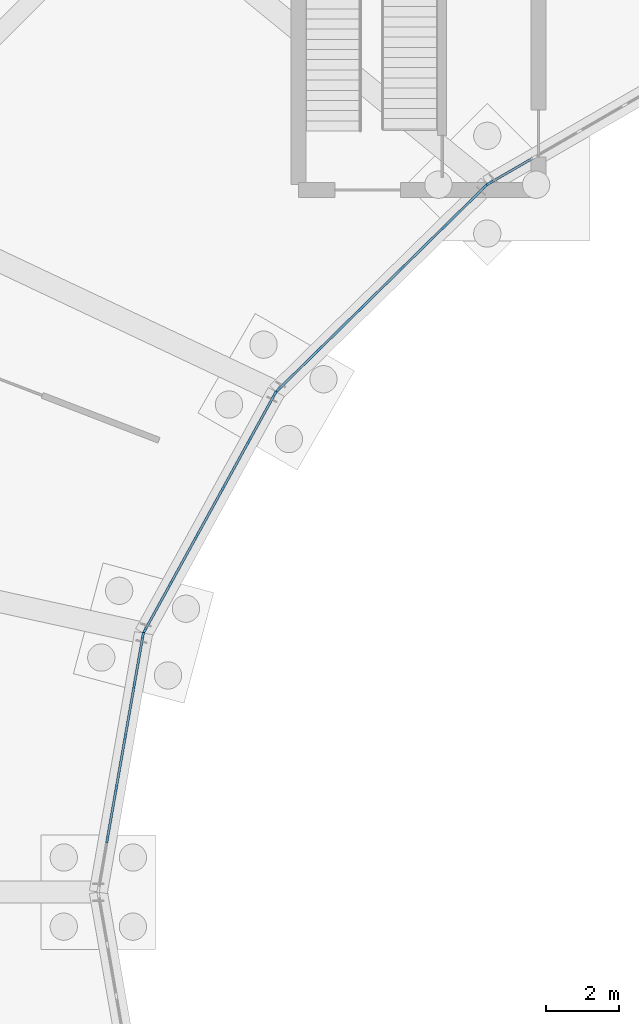
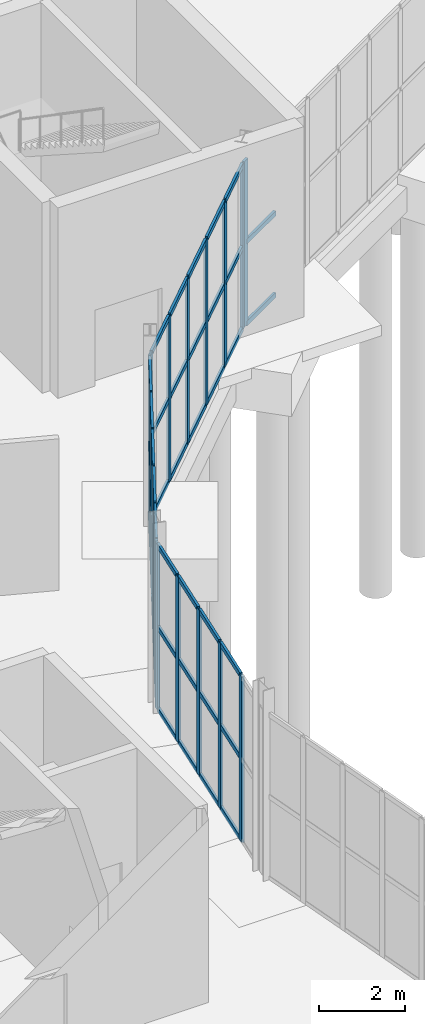
# One storey, part 60 of 118: 62 members, 4 elements without a shape of their own.
"""IFC4 building model written with IfcOpenShell, lengths in metres."""

from ifc_helpers import new_model, si_unit, direction, frame, origin, origin_2d, place, context, subcontext, project, spatial, rectangle, extrude, material, material_profile, profile_set, type_object, element, aggregate, save


model = new_model("IFC4")

# Units and contexts
model_context = context("Model", 3, precision=1e-05, world=origin(), true_north=direction((0.0, 1.0)))
body_context = subcontext(model_context, "Body", "Model", "MODEL_VIEW")
ifc_project = project(units=[si_unit("LENGTHUNIT", "METRE"), si_unit("AREAUNIT", "SQUARE_METRE"), si_unit("VOLUMEUNIT", "CUBIC_METRE"), si_unit("PLANEANGLEUNIT", "RADIAN"), si_unit("MASSUNIT", "GRAM", prefix="KILO")], contexts=[model_context])

# Site, building, storey
site_placement = place(None, origin())
site = spatial("IfcSite", under=ifc_project, at=site_placement, CompositionType="ELEMENT")
building_placement = place(site_placement, origin())
building = spatial("IfcBuilding", under=site, at=building_placement, Name="Kildeholm Park Wholesale Market", CompositionType="ELEMENT")
storey_placement = place(building_placement, origin())
storey = spatial("IfcBuildingStorey", under=building, at=storey_placement, Name="L00", CompositionType="ELEMENT", Elevation=0.0)

# Curtain wall, member
ifc_material_1 = material(Name="Anodised aluminium and low-E double-glazed glass", Category="aluminium")
curtain_wall_type = type_object("IfcCurtainWallType", Name="Market hall glazed arcade stick curtain wall CW-01", PredefinedType="NOTDEFINED", material=ifc_material_1)
curtain_wall_1_placement = place(storey_placement, origin())
curtain_wall_1 = element("IfcCurtainWall", 1, at=curtain_wall_1_placement, inside=storey, type_object=curtain_wall_type, Name="Curtain wall CW-V1-IN0-08 CW-0041", PredefinedType="NOTDEFINED")
ifc_material_2 = material(Name="Anodised aluminium", Category="aluminium")
ifc_material_profile_1 = material_profile(ifc_material_2, rectangle(XDim=0.06494140625, YDim=0.179931640625, at=origin_2d()), Name="CWM 65x180")
ifc_profile_set_1 = profile_set([ifc_material_profile_1], Name="Anodised aluminium")
member_type_1 = type_object("IfcMemberType", Name="Curtain-wall mullion CWM-1 CWM 65x180", PredefinedType="MULLION", material=ifc_profile_set_1)
member_1_placement = place(storey_placement, frame((73.250244140625, 108.9853515625, 0.0), z_axis=(0.0, 0.0, 1.0), x_axis=(0.500489412982, -0.865742656621, 0.0)))
member_1 = element("IfcMember", 2, at=member_1_placement, type_object=member_type_1, Name="CW-01 mullion 7 MEM-1548", PredefinedType="MULLION", context=body_context, shape_type="SweptSolid", body=[
    extrude(rectangle(XDim=0.06494140625, YDim=0.179931640625, at=origin_2d()), origin(), (0.0, 0.0, 1.0), 4.699951171875),
])

# Curtain wall, members
curtain_wall_2_placement = place(storey_placement, origin())
curtain_wall_2 = element("IfcCurtainWall", 3, at=curtain_wall_2_placement, inside=storey, type_object=curtain_wall_type, Name="Curtain wall CW-V1-IN0-09 CW-0046", PredefinedType="NOTDEFINED")
member_2_placement = place(storey_placement, frame((73.1337890625, 108.897216796875, 0.0), z_axis=(0.0, 0.0, 1.0), x_axis=(0.700616534607, -0.713537995789, 0.0)))
member_2 = element("IfcMember", 4, at=member_2_placement, type_object=member_type_1, Name="CW-01 mullion 1 MEM-1683", PredefinedType="MULLION", context=body_context, shape_type="SweptSolid", body=[
    extrude(rectangle(XDim=0.06494140625, YDim=0.179931640625, at=origin_2d()), origin(), (0.0, 0.0, 1.0), 4.699951171875),
])
member_3_placement = place(storey_placement, frame((72.00830078125, 107.792236328125, 0.0), z_axis=(0.0, 0.0, 1.0), x_axis=(0.700616534607, -0.713537995789, 0.0)))
member_3 = element("IfcMember", 5, at=member_3_placement, type_object=member_type_1, Name="CW-01 mullion 2 MEM-1684", PredefinedType="MULLION", context=body_context, shape_type="SweptSolid", body=[
    extrude(rectangle(XDim=0.06494140625, YDim=0.179931640625, at=origin_2d()), origin(), (0.0, 0.0, 1.0), 4.699951171875),
])
member_4_placement = place(storey_placement, frame((70.85986328125, 106.664306640625, 0.0), z_axis=(0.0, 0.0, 1.0), x_axis=(0.700616534607, -0.713537995789, 0.0)))
member_4 = element("IfcMember", 6, at=member_4_placement, type_object=member_type_1, Name="CW-01 mullion 3 MEM-1685", PredefinedType="MULLION", context=body_context, shape_type="SweptSolid", body=[
    extrude(rectangle(XDim=0.06494140625, YDim=0.179931640625, at=origin_2d()), origin(), (0.0, 0.0, 1.0), 4.699951171875),
])
member_5_placement = place(storey_placement, frame((69.711181640625, 105.53662109375, 0.0), z_axis=(0.0, 0.0, 1.0), x_axis=(0.700616534607, -0.713537995789, 0.0)))
member_5 = element("IfcMember", 7, at=member_5_placement, type_object=member_type_1, Name="CW-01 mullion 4 MEM-1686", PredefinedType="MULLION", context=body_context, shape_type="SweptSolid", body=[
    extrude(rectangle(XDim=0.06494140625, YDim=0.179931640625, at=origin_2d()), origin(), (0.0, 0.0, 1.0), 4.699951171875),
])
member_6_placement = place(storey_placement, frame((68.5625, 104.40869140625, 0.0), z_axis=(0.0, 0.0, 1.0), x_axis=(0.700616534607, -0.713537995789, 0.0)))
member_6 = element("IfcMember", 8, at=member_6_placement, type_object=member_type_1, Name="CW-01 mullion 5 MEM-1687", PredefinedType="MULLION", context=body_context, shape_type="SweptSolid", body=[
    extrude(rectangle(XDim=0.06494140625, YDim=0.179931640625, at=origin_2d()), origin(), (0.0, 0.0, 1.0), 4.699951171875),
])
member_7_placement = place(storey_placement, frame((67.437255859375, 103.3037109375, 0.0), z_axis=(0.0, 0.0, 1.0), x_axis=(0.700616534607, -0.713537995789, 0.0)))
member_7 = element("IfcMember", 9, at=member_7_placement, type_object=member_type_1, Name="CW-01 mullion 6 MEM-1688", PredefinedType="MULLION", context=body_context, shape_type="SweptSolid", body=[
    extrude(rectangle(XDim=0.06494140625, YDim=0.179931640625, at=origin_2d()), origin(), (0.0, 0.0, 1.0), 4.699951171875),
])

curtain_wall_3_placement = place(storey_placement, origin())
curtain_wall_3 = element("IfcCurtainWall", 10, at=curtain_wall_3_placement, inside=storey, type_object=curtain_wall_type, Name="Curtain wall CW-V1-IN0-10 CW-0051", PredefinedType="NOTDEFINED")
member_8_placement = place(storey_placement, frame((67.349365234375, 103.1884765625, 0.0), z_axis=(0.0, 0.0, 1.0), x_axis=(0.876308922506, -0.481749595055, 0.0)))
member_8 = element("IfcMember", 11, at=member_8_placement, type_object=member_type_1, Name="CW-01 mullion 1 MEM-1808", PredefinedType="MULLION", context=body_context, shape_type="SweptSolid", body=[
    extrude(rectangle(XDim=0.06494140625, YDim=0.179931640625, at=origin_2d()), origin(), (0.0, 0.0, 1.0), 4.699951171875),
])
member_9_placement = place(storey_placement, frame((66.643310546875, 101.904296875, 0.0), z_axis=(0.0, 0.0, 1.0), x_axis=(0.876308922506, -0.481749595055, 0.0)))
member_9 = element("IfcMember", 12, at=member_9_placement, type_object=member_type_1, Name="CW-01 mullion 2 MEM-1809", PredefinedType="MULLION", context=body_context, shape_type="SweptSolid", body=[
    extrude(rectangle(XDim=0.06494140625, YDim=0.179931640625, at=origin_2d()), origin(), (0.0, 0.0, 1.0), 4.699951171875),
])
member_10_placement = place(storey_placement, frame((65.921875, 100.591796875, 0.0), z_axis=(0.0, 0.0, 1.0), x_axis=(0.876308922506, -0.481749595055, 0.0)))
member_10 = element("IfcMember", 13, at=member_10_placement, type_object=member_type_1, Name="CW-01 mullion 3 MEM-1810", PredefinedType="MULLION", context=body_context, shape_type="SweptSolid", body=[
    extrude(rectangle(XDim=0.06494140625, YDim=0.179931640625, at=origin_2d()), origin(), (0.0, 0.0, 1.0), 4.699951171875),
])
member_11_placement = place(storey_placement, frame((65.2001953125, 99.279296875, 0.0), z_axis=(0.0, 0.0, 1.0), x_axis=(0.876308922506, -0.481749595055, 0.0)))
member_11 = element("IfcMember", 14, at=member_11_placement, type_object=member_type_1, Name="CW-01 mullion 4 MEM-1811", PredefinedType="MULLION", context=body_context, shape_type="SweptSolid", body=[
    extrude(rectangle(XDim=0.06494140625, YDim=0.179931640625, at=origin_2d()), origin(), (0.0, 0.0, 1.0), 4.699951171875),
])
member_12_placement = place(storey_placement, frame((64.478515625, 97.966552734375, 0.0), z_axis=(0.0, 0.0, 1.0), x_axis=(0.876308922506, -0.481749595055, 0.0)))
member_12 = element("IfcMember", 15, at=member_12_placement, type_object=member_type_1, Name="CW-01 mullion 5 MEM-1812", PredefinedType="MULLION", context=body_context, shape_type="SweptSolid", body=[
    extrude(rectangle(XDim=0.06494140625, YDim=0.179931640625, at=origin_2d()), origin(), (0.0, 0.0, 1.0), 4.699951171875),
])
member_13_placement = place(storey_placement, frame((63.772705078125, 96.682373046875, 0.0), z_axis=(0.0, 0.0, 1.0), x_axis=(0.876308922506, -0.481749595055, 0.0)))
member_13 = element("IfcMember", 16, at=member_13_placement, type_object=member_type_1, Name="CW-01 mullion 6 MEM-1813", PredefinedType="MULLION", context=body_context, shape_type="SweptSolid", body=[
    extrude(rectangle(XDim=0.06494140625, YDim=0.179931640625, at=origin_2d()), origin(), (0.0, 0.0, 1.0), 4.699951171875),
])

curtain_wall_4_placement = place(storey_placement, origin())
curtain_wall_4 = element("IfcCurtainWall", 17, at=curtain_wall_4_placement, inside=storey, type_object=curtain_wall_type, Name="Curtain wall CW-V1-IN0-11 CW-0056", PredefinedType="NOTDEFINED")
member_14_placement = place(storey_placement, frame((63.724365234375, 96.546875, 0.0), z_axis=(0.0, 0.0, 1.0), x_axis=(0.985073802851, -0.172132515628, 0.0)))
member_14 = element("IfcMember", 18, at=member_14_placement, type_object=member_type_1, Name="CW-01 mullion 1 MEM-1933", PredefinedType="MULLION", context=body_context, shape_type="SweptSolid", body=[
    extrude(rectangle(XDim=0.06494140625, YDim=0.179931640625, at=origin_2d()), origin(), (0.0, 0.0, 1.0), 4.699951171875),
])
member_15_placement = place(storey_placement, frame((63.48388671875, 95.171142578125, 0.0), z_axis=(0.0, 0.0, 1.0), x_axis=(0.985073802851, -0.172132515628, 0.0)))
member_15 = element("IfcMember", 19, at=member_15_placement, type_object=member_type_1, Name="CW-01 mullion 2 MEM-1934", PredefinedType="MULLION", context=body_context, shape_type="SweptSolid", body=[
    extrude(rectangle(XDim=0.06494140625, YDim=0.179931640625, at=origin_2d()), origin(), (0.0, 0.0, 1.0), 4.699951171875),
])
member_16_placement = place(storey_placement, frame((63.238037109375, 93.763427734375, 0.0), z_axis=(0.0, 0.0, 1.0), x_axis=(0.985073802851, -0.172132515628, 0.0)))
member_16 = element("IfcMember", 20, at=member_16_placement, type_object=member_type_1, Name="CW-01 mullion 3 MEM-1935", PredefinedType="MULLION", context=body_context, shape_type="SweptSolid", body=[
    extrude(rectangle(XDim=0.06494140625, YDim=0.179931640625, at=origin_2d()), origin(), (0.0, 0.0, 1.0), 4.699951171875),
])
member_17_placement = place(storey_placement, frame((62.991943359375, 92.355712890625, 0.0), z_axis=(0.0, 0.0, 1.0), x_axis=(0.985073802851, -0.172132515628, 0.0)))
member_17 = element("IfcMember", 21, at=member_17_placement, type_object=member_type_1, Name="CW-01 mullion 4 MEM-1936", PredefinedType="MULLION", context=body_context, shape_type="SweptSolid", body=[
    extrude(rectangle(XDim=0.06494140625, YDim=0.179931640625, at=origin_2d()), origin(), (0.0, 0.0, 1.0), 4.699951171875),
])
member_18_placement = place(storey_placement, frame((62.74609375, 90.94775390625, 0.0), z_axis=(0.0, 0.0, 1.0), x_axis=(0.985073802851, -0.172132515628, 0.0)))
member_18 = element("IfcMember", 22, at=member_18_placement, type_object=member_type_1, Name="CW-01 mullion 5 MEM-1937", PredefinedType="MULLION", context=body_context, shape_type="SweptSolid", body=[
    extrude(rectangle(XDim=0.06494140625, YDim=0.179931640625, at=origin_2d()), origin(), (0.0, 0.0, 1.0), 4.699951171875),
])

# Member
ifc_material_profile_2 = material_profile(ifc_material_2, rectangle(XDim=0.06494140625, YDim=0.139892578125, at=origin_2d()), Name="CWT 65x140")
ifc_profile_set_2 = profile_set([ifc_material_profile_2], Name="Anodised aluminium")
member_type_2 = type_object("IfcMemberType", Name="Curtain-wall transom CWT-1 CWT 65x140", PredefinedType="USERDEFINED", material=ifc_profile_set_2)
member_19_placement = place(storey_placement, frame((74.442138671875, 109.67431640625, 0.032470703125), z_axis=(-0.86572868327, -0.500513583195, 0.0), x_axis=(0.500513583195, -0.86572868327, 0.0)))
member_19 = element("IfcMember", 23, at=member_19_placement, type_object=member_type_2, Name="CW-01 transom 6.1 MEM-1564", ObjectType="TRANSOM", PredefinedType="USERDEFINED", context=body_context, shape_type="SweptSolid", body=[
    extrude(rectangle(XDim=0.06494140625, YDim=0.139892578125, at=origin_2d()), origin(), (0.0, 0.0, 1.0), 1.34423828125),
])

member_20_placement = place(storey_placement, frame((74.442138671875, 109.67431640625, 2.35009765625), z_axis=(-0.86572868327, -0.500513583195, 0.0), x_axis=(0.500513583195, -0.86572868327, 0.0)))
member_20 = element("IfcMember", 24, at=member_20_placement, type_object=member_type_2, Name="CW-01 transom 6.2 MEM-1565", ObjectType="TRANSOM", PredefinedType="USERDEFINED", context=body_context, shape_type="SweptSolid", body=[
    extrude(rectangle(XDim=0.06494140625, YDim=0.139892578125, at=origin_2d()), origin(), (0.0, 0.0, 1.0), 1.34423828125),
])

aggregate(curtain_wall_1, [member_1, member_19, member_20])

member_21_placement = place(storey_placement, frame((73.110595703125, 108.87451171875, 0.032470703125), z_axis=(-0.713534623197, -0.700619969384, 0.0), x_axis=(0.700619969384, -0.713534623197, 0.0)))
member_21 = element("IfcMember", 25, at=member_21_placement, type_object=member_type_2, Name="CW-01 transom 1.1 MEM-1689", ObjectType="TRANSOM", PredefinedType="USERDEFINED", context=body_context, shape_type="SweptSolid", body=[
    extrude(rectangle(XDim=0.06494140625, YDim=0.139892578125, at=origin_2d()), origin(), (0.0, 0.0, 1.0), 1.512451171875),
])

member_22_placement = place(storey_placement, frame((73.110595703125, 108.87451171875, 2.35009765625), z_axis=(-0.713534623197, -0.700619969384, 0.0), x_axis=(0.700619969384, -0.713534623197, 0.0)))
member_22 = element("IfcMember", 26, at=member_22_placement, type_object=member_type_2, Name="CW-01 transom 1.2 MEM-1690", ObjectType="TRANSOM", PredefinedType="USERDEFINED", context=body_context, shape_type="SweptSolid", body=[
    extrude(rectangle(XDim=0.06494140625, YDim=0.139892578125, at=origin_2d()), origin(), (0.0, 0.0, 1.0), 1.512451171875),
])

member_23_placement = place(storey_placement, frame((73.110595703125, 108.87451171875, 4.66748046875), z_axis=(-0.713534623197, -0.700619969384, 0.0), x_axis=(0.700619969384, -0.713534623197, 0.0)))
member_23 = element("IfcMember", 27, at=member_23_placement, type_object=member_type_2, Name="CW-01 transom 1.3 MEM-1691", ObjectType="TRANSOM", PredefinedType="USERDEFINED", context=body_context, shape_type="SweptSolid", body=[
    extrude(rectangle(XDim=0.06494140625, YDim=0.139892578125, at=origin_2d()), origin(), (0.0, 0.0, 1.0), 1.512451171875),
])

member_24_placement = place(storey_placement, frame((71.985107421875, 107.76953125, 0.032470703125), z_axis=(-0.713479202212, -0.700676407489, 0.0), x_axis=(0.700676407489, -0.713479202212, 0.0)))
member_24 = element("IfcMember", 28, at=member_24_placement, type_object=member_type_2, Name="CW-01 transom 2.1 MEM-1692", ObjectType="TRANSOM", PredefinedType="USERDEFINED", context=body_context, shape_type="SweptSolid", body=[
    extrude(rectangle(XDim=0.06494140625, YDim=0.139892578125, at=origin_2d()), origin(), (0.0, 0.0, 1.0), 1.544677734375),
])

member_25_placement = place(storey_placement, frame((71.985107421875, 107.76953125, 2.35009765625), z_axis=(-0.713479202212, -0.700676407489, 0.0), x_axis=(0.700676407489, -0.713479202212, 0.0)))
member_25 = element("IfcMember", 29, at=member_25_placement, type_object=member_type_2, Name="CW-01 transom 2.2 MEM-1693", ObjectType="TRANSOM", PredefinedType="USERDEFINED", context=body_context, shape_type="SweptSolid", body=[
    extrude(rectangle(XDim=0.06494140625, YDim=0.139892578125, at=origin_2d()), origin(), (0.0, 0.0, 1.0), 1.544677734375),
])

member_26_placement = place(storey_placement, frame((71.985107421875, 107.76953125, 4.66748046875), z_axis=(-0.713479202212, -0.700676407489, 0.0), x_axis=(0.700676407489, -0.713479202212, 0.0)))
member_26 = element("IfcMember", 30, at=member_26_placement, type_object=member_type_2, Name="CW-01 transom 2.3 MEM-1694", ObjectType="TRANSOM", PredefinedType="USERDEFINED", context=body_context, shape_type="SweptSolid", body=[
    extrude(rectangle(XDim=0.06494140625, YDim=0.139892578125, at=origin_2d()), origin(), (0.0, 0.0, 1.0), 1.544677734375),
])

member_27_placement = place(storey_placement, frame((70.836669921875, 106.6416015625, 0.032470703125), z_axis=(-0.713556787842, -0.70059739546, 0.0), x_axis=(0.70059739546, -0.713556787842, 0.0)))
member_27 = element("IfcMember", 31, at=member_27_placement, type_object=member_type_2, Name="CW-01 transom 3.1 MEM-1695", ObjectType="TRANSOM", PredefinedType="USERDEFINED", context=body_context, shape_type="SweptSolid", body=[
    extrude(rectangle(XDim=0.06494140625, YDim=0.139892578125, at=origin_2d()), origin(), (0.0, 0.0, 1.0), 1.544677734375),
])

member_28_placement = place(storey_placement, frame((70.836669921875, 106.6416015625, 2.35009765625), z_axis=(-0.713556787842, -0.70059739546, 0.0), x_axis=(0.70059739546, -0.713556787842, 0.0)))
member_28 = element("IfcMember", 32, at=member_28_placement, type_object=member_type_2, Name="CW-01 transom 3.2 MEM-1696", ObjectType="TRANSOM", PredefinedType="USERDEFINED", context=body_context, shape_type="SweptSolid", body=[
    extrude(rectangle(XDim=0.06494140625, YDim=0.139892578125, at=origin_2d()), origin(), (0.0, 0.0, 1.0), 1.544677734375),
])

member_29_placement = place(storey_placement, frame((70.836669921875, 106.6416015625, 4.66748046875), z_axis=(-0.713556787842, -0.70059739546, 0.0), x_axis=(0.70059739546, -0.713556787842, 0.0)))
member_29 = element("IfcMember", 33, at=member_29_placement, type_object=member_type_2, Name="CW-01 transom 3.3 MEM-1697", ObjectType="TRANSOM", PredefinedType="USERDEFINED", context=body_context, shape_type="SweptSolid", body=[
    extrude(rectangle(XDim=0.06494140625, YDim=0.139892578125, at=origin_2d()), origin(), (0.0, 0.0, 1.0), 1.544677734375),
])

member_30_placement = place(storey_placement, frame((69.68798828125, 105.513916015625, 0.032470703125), z_axis=(-0.713556787842, -0.70059739546, 0.0), x_axis=(0.70059739546, -0.713556787842, 0.0)))
member_30 = element("IfcMember", 34, at=member_30_placement, type_object=member_type_2, Name="CW-01 transom 4.1 MEM-1698", ObjectType="TRANSOM", PredefinedType="USERDEFINED", context=body_context, shape_type="SweptSolid", body=[
    extrude(rectangle(XDim=0.06494140625, YDim=0.139892578125, at=origin_2d()), origin(), (0.0, 0.0, 1.0), 1.544677734375),
])

member_31_placement = place(storey_placement, frame((69.68798828125, 105.513916015625, 2.35009765625), z_axis=(-0.713556787842, -0.70059739546, 0.0), x_axis=(0.70059739546, -0.713556787842, 0.0)))
member_31 = element("IfcMember", 35, at=member_31_placement, type_object=member_type_2, Name="CW-01 transom 4.2 MEM-1699", ObjectType="TRANSOM", PredefinedType="USERDEFINED", context=body_context, shape_type="SweptSolid", body=[
    extrude(rectangle(XDim=0.06494140625, YDim=0.139892578125, at=origin_2d()), origin(), (0.0, 0.0, 1.0), 1.544677734375),
])

member_32_placement = place(storey_placement, frame((69.68798828125, 105.513916015625, 4.66748046875), z_axis=(-0.713556787842, -0.70059739546, 0.0), x_axis=(0.70059739546, -0.713556787842, 0.0)))
member_32 = element("IfcMember", 36, at=member_32_placement, type_object=member_type_2, Name="CW-01 transom 4.3 MEM-1700", ObjectType="TRANSOM", PredefinedType="USERDEFINED", context=body_context, shape_type="SweptSolid", body=[
    extrude(rectangle(XDim=0.06494140625, YDim=0.139892578125, at=origin_2d()), origin(), (0.0, 0.0, 1.0), 1.544677734375),
])

member_33_placement = place(storey_placement, frame((68.539306640625, 104.385986328125, 0.032470703125), z_axis=(-0.713536084219, -0.700618481427, 0.0), x_axis=(0.700618481427, -0.713536084219, 0.0)))
member_33 = element("IfcMember", 37, at=member_33_placement, type_object=member_type_2, Name="CW-01 transom 5.1 MEM-1701", ObjectType="TRANSOM", PredefinedType="USERDEFINED", context=body_context, shape_type="SweptSolid", body=[
    extrude(rectangle(XDim=0.06494140625, YDim=0.139892578125, at=origin_2d()), origin(), (0.0, 0.0, 1.0), 1.511962890625),
])

member_34_placement = place(storey_placement, frame((68.539306640625, 104.385986328125, 2.35009765625), z_axis=(-0.713536084219, -0.700618481427, 0.0), x_axis=(0.700618481427, -0.713536084219, 0.0)))
member_34 = element("IfcMember", 38, at=member_34_placement, type_object=member_type_2, Name="CW-01 transom 5.2 MEM-1702", ObjectType="TRANSOM", PredefinedType="USERDEFINED", context=body_context, shape_type="SweptSolid", body=[
    extrude(rectangle(XDim=0.06494140625, YDim=0.139892578125, at=origin_2d()), origin(), (0.0, 0.0, 1.0), 1.511962890625),
])

member_35_placement = place(storey_placement, frame((68.539306640625, 104.385986328125, 4.66748046875), z_axis=(-0.713536084219, -0.700618481427, 0.0), x_axis=(0.700618481427, -0.713536084219, 0.0)))
member_35 = element("IfcMember", 39, at=member_35_placement, type_object=member_type_2, Name="CW-01 transom 5.3 MEM-1703", ObjectType="TRANSOM", PredefinedType="USERDEFINED", context=body_context, shape_type="SweptSolid", body=[
    extrude(rectangle(XDim=0.06494140625, YDim=0.139892578125, at=origin_2d()), origin(), (0.0, 0.0, 1.0), 1.511962890625),
])

aggregate(curtain_wall_2, [member_2, member_3, member_4, member_5, member_6, member_7, member_21, member_22, member_23, member_24, member_25, member_26, member_27, member_28, member_29, member_30, member_31, member_32, member_33, member_34, member_35])

member_36_placement = place(storey_placement, frame((67.333740234375, 103.16015625, 0.032470703125), z_axis=(-0.481804989675, -0.876278467112, 0.0), x_axis=(0.876278467112, -0.481804989675, 0.0)))
member_36 = element("IfcMember", 40, at=member_36_placement, type_object=member_type_2, Name="CW-01 transom 1.1 MEM-1814", ObjectType="TRANSOM", PredefinedType="USERDEFINED", context=body_context, shape_type="SweptSolid", body=[
    extrude(rectangle(XDim=0.06494140625, YDim=0.139892578125, at=origin_2d()), origin(), (0.0, 0.0, 1.0), 1.400634765625),
])

member_37_placement = place(storey_placement, frame((67.333740234375, 103.16015625, 2.35009765625), z_axis=(-0.481804989675, -0.876278467112, 0.0), x_axis=(0.876278467112, -0.481804989675, 0.0)))
member_37 = element("IfcMember", 41, at=member_37_placement, type_object=member_type_2, Name="CW-01 transom 1.2 MEM-1815", ObjectType="TRANSOM", PredefinedType="USERDEFINED", context=body_context, shape_type="SweptSolid", body=[
    extrude(rectangle(XDim=0.06494140625, YDim=0.139892578125, at=origin_2d()), origin(), (0.0, 0.0, 1.0), 1.400634765625),
])

member_38_placement = place(storey_placement, frame((67.333740234375, 103.16015625, 4.66748046875), z_axis=(-0.481804989675, -0.876278467112, 0.0), x_axis=(0.876278467112, -0.481804989675, 0.0)))
member_38 = element("IfcMember", 42, at=member_38_placement, type_object=member_type_2, Name="CW-01 transom 1.3 MEM-1816", ObjectType="TRANSOM", PredefinedType="USERDEFINED", context=body_context, shape_type="SweptSolid", body=[
    extrude(rectangle(XDim=0.06494140625, YDim=0.139892578125, at=origin_2d()), origin(), (0.0, 0.0, 1.0), 1.400634765625),
])

member_39_placement = place(storey_placement, frame((66.627685546875, 101.8759765625, 0.032470703125), z_axis=(-0.481702881374, -0.876334601665, 0.0), x_axis=(0.876334601665, -0.481702881374, 0.0)))
member_39 = element("IfcMember", 43, at=member_39_placement, type_object=member_type_2, Name="CW-01 transom 2.1 MEM-1817", ObjectType="TRANSOM", PredefinedType="USERDEFINED", context=body_context, shape_type="SweptSolid", body=[
    extrude(rectangle(XDim=0.06494140625, YDim=0.139892578125, at=origin_2d()), origin(), (0.0, 0.0, 1.0), 1.432861328125),
])

member_40_placement = place(storey_placement, frame((66.627685546875, 101.8759765625, 2.35009765625), z_axis=(-0.481702881374, -0.876334601665, 0.0), x_axis=(0.876334601665, -0.481702881374, 0.0)))
member_40 = element("IfcMember", 44, at=member_40_placement, type_object=member_type_2, Name="CW-01 transom 2.2 MEM-1818", ObjectType="TRANSOM", PredefinedType="USERDEFINED", context=body_context, shape_type="SweptSolid", body=[
    extrude(rectangle(XDim=0.06494140625, YDim=0.139892578125, at=origin_2d()), origin(), (0.0, 0.0, 1.0), 1.432861328125),
])

member_41_placement = place(storey_placement, frame((66.627685546875, 101.8759765625, 4.66748046875), z_axis=(-0.481702881374, -0.876334601665, 0.0), x_axis=(0.876334601665, -0.481702881374, 0.0)))
member_41 = element("IfcMember", 45, at=member_41_placement, type_object=member_type_2, Name="CW-01 transom 2.3 MEM-1819", ObjectType="TRANSOM", PredefinedType="USERDEFINED", context=body_context, shape_type="SweptSolid", body=[
    extrude(rectangle(XDim=0.06494140625, YDim=0.139892578125, at=origin_2d()), origin(), (0.0, 0.0, 1.0), 1.432861328125),
])

member_42_placement = place(storey_placement, frame((65.90625, 100.563232421875, 0.032470703125), z_axis=(-0.481833721178, -0.87626266903, 0.0), x_axis=(0.87626266903, -0.481833721178, 0.0)))
member_42 = element("IfcMember", 46, at=member_42_placement, type_object=member_type_2, Name="CW-01 transom 3.1 MEM-1820", ObjectType="TRANSOM", PredefinedType="USERDEFINED", context=body_context, shape_type="SweptSolid", body=[
    extrude(rectangle(XDim=0.06494140625, YDim=0.139892578125, at=origin_2d()), origin(), (0.0, 0.0, 1.0), 1.432861328125),
])

member_43_placement = place(storey_placement, frame((65.90625, 100.563232421875, 2.35009765625), z_axis=(-0.481833721178, -0.87626266903, 0.0), x_axis=(0.87626266903, -0.481833721178, 0.0)))
member_43 = element("IfcMember", 47, at=member_43_placement, type_object=member_type_2, Name="CW-01 transom 3.2 MEM-1821", ObjectType="TRANSOM", PredefinedType="USERDEFINED", context=body_context, shape_type="SweptSolid", body=[
    extrude(rectangle(XDim=0.06494140625, YDim=0.139892578125, at=origin_2d()), origin(), (0.0, 0.0, 1.0), 1.432861328125),
])

member_44_placement = place(storey_placement, frame((65.90625, 100.563232421875, 4.66748046875), z_axis=(-0.481833721178, -0.87626266903, 0.0), x_axis=(0.87626266903, -0.481833721178, 0.0)))
member_44 = element("IfcMember", 48, at=member_44_placement, type_object=member_type_2, Name="CW-01 transom 3.3 MEM-1822", ObjectType="TRANSOM", PredefinedType="USERDEFINED", context=body_context, shape_type="SweptSolid", body=[
    extrude(rectangle(XDim=0.06494140625, YDim=0.139892578125, at=origin_2d()), origin(), (0.0, 0.0, 1.0), 1.432861328125),
])

member_45_placement = place(storey_placement, frame((65.1845703125, 99.250732421875, 0.032470703125), z_axis=(-0.481833721178, -0.87626266903, 0.0), x_axis=(0.87626266903, -0.481833721178, 0.0)))
member_45 = element("IfcMember", 49, at=member_45_placement, type_object=member_type_2, Name="CW-01 transom 4.1 MEM-1823", ObjectType="TRANSOM", PredefinedType="USERDEFINED", context=body_context, shape_type="SweptSolid", body=[
    extrude(rectangle(XDim=0.06494140625, YDim=0.139892578125, at=origin_2d()), origin(), (0.0, 0.0, 1.0), 1.432861328125),
])

member_46_placement = place(storey_placement, frame((65.1845703125, 99.250732421875, 2.35009765625), z_axis=(-0.481833721178, -0.87626266903, 0.0), x_axis=(0.87626266903, -0.481833721178, 0.0)))
member_46 = element("IfcMember", 50, at=member_46_placement, type_object=member_type_2, Name="CW-01 transom 4.2 MEM-1824", ObjectType="TRANSOM", PredefinedType="USERDEFINED", context=body_context, shape_type="SweptSolid", body=[
    extrude(rectangle(XDim=0.06494140625, YDim=0.139892578125, at=origin_2d()), origin(), (0.0, 0.0, 1.0), 1.432861328125),
])

member_47_placement = place(storey_placement, frame((65.1845703125, 99.250732421875, 4.66748046875), z_axis=(-0.481833721178, -0.87626266903, 0.0), x_axis=(0.87626266903, -0.481833721178, 0.0)))
member_47 = element("IfcMember", 51, at=member_47_placement, type_object=member_type_2, Name="CW-01 transom 4.3 MEM-1825", ObjectType="TRANSOM", PredefinedType="USERDEFINED", context=body_context, shape_type="SweptSolid", body=[
    extrude(rectangle(XDim=0.06494140625, YDim=0.139892578125, at=origin_2d()), origin(), (0.0, 0.0, 1.0), 1.432861328125),
])

member_48_placement = place(storey_placement, frame((64.462890625, 97.938232421875, 0.032470703125), z_axis=(-0.481671123072, -0.876352057793, 0.0), x_axis=(0.876352057793, -0.481671123072, 0.0)))
member_48 = element("IfcMember", 52, at=member_48_placement, type_object=member_type_2, Name="CW-01 transom 5.1 MEM-1826", ObjectType="TRANSOM", PredefinedType="USERDEFINED", context=body_context, shape_type="SweptSolid", body=[
    extrude(rectangle(XDim=0.06494140625, YDim=0.139892578125, at=origin_2d()), origin(), (0.0, 0.0, 1.0), 1.400390625),
])

member_49_placement = place(storey_placement, frame((64.462890625, 97.938232421875, 2.35009765625), z_axis=(-0.481671123072, -0.876352057793, 0.0), x_axis=(0.876352057793, -0.481671123072, 0.0)))
member_49 = element("IfcMember", 53, at=member_49_placement, type_object=member_type_2, Name="CW-01 transom 5.2 MEM-1827", ObjectType="TRANSOM", PredefinedType="USERDEFINED", context=body_context, shape_type="SweptSolid", body=[
    extrude(rectangle(XDim=0.06494140625, YDim=0.139892578125, at=origin_2d()), origin(), (0.0, 0.0, 1.0), 1.400390625),
])

member_50_placement = place(storey_placement, frame((64.462890625, 97.938232421875, 4.66748046875), z_axis=(-0.481671123072, -0.876352057793, 0.0), x_axis=(0.876352057793, -0.481671123072, 0.0)))
member_50 = element("IfcMember", 54, at=member_50_placement, type_object=member_type_2, Name="CW-01 transom 5.3 MEM-1828", ObjectType="TRANSOM", PredefinedType="USERDEFINED", context=body_context, shape_type="SweptSolid", body=[
    extrude(rectangle(XDim=0.06494140625, YDim=0.139892578125, at=origin_2d()), origin(), (0.0, 0.0, 1.0), 1.400390625),
])

aggregate(curtain_wall_3, [member_8, member_9, member_10, member_11, member_12, member_13, member_36, member_37, member_38, member_39, member_40, member_41, member_42, member_43, member_44, member_45, member_46, member_47, member_48, member_49, member_50])

member_51_placement = place(storey_placement, frame((63.71875, 96.514892578125, 0.032470703125), z_axis=(-0.172153518423, -0.985070132577, 0.0), x_axis=(0.985070132577, -0.172153518423, 0.0)))
member_51 = element("IfcMember", 55, at=member_51_placement, type_object=member_type_2, Name="CW-01 transom 1.1 MEM-1939", ObjectType="TRANSOM", PredefinedType="USERDEFINED", context=body_context, shape_type="SweptSolid", body=[
    extrude(rectangle(XDim=0.06494140625, YDim=0.139892578125, at=origin_2d()), origin(), (0.0, 0.0, 1.0), 1.33154296875),
])

member_52_placement = place(storey_placement, frame((63.71875, 96.514892578125, 2.35009765625), z_axis=(-0.172153518423, -0.985070132577, 0.0), x_axis=(0.985070132577, -0.172153518423, 0.0)))
member_52 = element("IfcMember", 56, at=member_52_placement, type_object=member_type_2, Name="CW-01 transom 1.2 MEM-1940", ObjectType="TRANSOM", PredefinedType="USERDEFINED", context=body_context, shape_type="SweptSolid", body=[
    extrude(rectangle(XDim=0.06494140625, YDim=0.139892578125, at=origin_2d()), origin(), (0.0, 0.0, 1.0), 1.33154296875),
])

member_53_placement = place(storey_placement, frame((63.71875, 96.514892578125, 4.66748046875), z_axis=(-0.172153518423, -0.985070132577, 0.0), x_axis=(0.985070132577, -0.172153518423, 0.0)))
member_53 = element("IfcMember", 57, at=member_53_placement, type_object=member_type_2, Name="CW-01 transom 1.3 MEM-1941", ObjectType="TRANSOM", PredefinedType="USERDEFINED", context=body_context, shape_type="SweptSolid", body=[
    extrude(rectangle(XDim=0.06494140625, YDim=0.139892578125, at=origin_2d()), origin(), (0.0, 0.0, 1.0), 1.33154296875),
])

member_54_placement = place(storey_placement, frame((63.478515625, 95.13916015625, 0.032470703125), z_axis=(-0.172171942211, -0.985066912608, 0.0), x_axis=(0.985066912608, -0.172171942211, 0.0)))
member_54 = element("IfcMember", 58, at=member_54_placement, type_object=member_type_2, Name="CW-01 transom 2.1 MEM-1942", ObjectType="TRANSOM", PredefinedType="USERDEFINED", context=body_context, shape_type="SweptSolid", body=[
    extrude(rectangle(XDim=0.06494140625, YDim=0.139892578125, at=origin_2d()), origin(), (0.0, 0.0, 1.0), 1.364013671875),
])

member_55_placement = place(storey_placement, frame((63.478515625, 95.13916015625, 2.35009765625), z_axis=(-0.172171942211, -0.985066912608, 0.0), x_axis=(0.985066912608, -0.172171942211, 0.0)))
member_55 = element("IfcMember", 59, at=member_55_placement, type_object=member_type_2, Name="CW-01 transom 2.2 MEM-1943", ObjectType="TRANSOM", PredefinedType="USERDEFINED", context=body_context, shape_type="SweptSolid", body=[
    extrude(rectangle(XDim=0.06494140625, YDim=0.139892578125, at=origin_2d()), origin(), (0.0, 0.0, 1.0), 1.364013671875),
])

member_56_placement = place(storey_placement, frame((63.478515625, 95.13916015625, 4.66748046875), z_axis=(-0.172171942211, -0.985066912608, 0.0), x_axis=(0.985066912608, -0.172171942211, 0.0)))
member_56 = element("IfcMember", 60, at=member_56_placement, type_object=member_type_2, Name="CW-01 transom 2.3 MEM-1944", ObjectType="TRANSOM", PredefinedType="USERDEFINED", context=body_context, shape_type="SweptSolid", body=[
    extrude(rectangle(XDim=0.06494140625, YDim=0.139892578125, at=origin_2d()), origin(), (0.0, 0.0, 1.0), 1.364013671875),
])

member_57_placement = place(storey_placement, frame((63.232421875, 93.7314453125, 0.032470703125), z_axis=(-0.172171942211, -0.985066912608, 0.0), x_axis=(0.985066912608, -0.172171942211, 0.0)))
member_57 = element("IfcMember", 61, at=member_57_placement, type_object=member_type_2, Name="CW-01 transom 3.1 MEM-1945", ObjectType="TRANSOM", PredefinedType="USERDEFINED", context=body_context, shape_type="SweptSolid", body=[
    extrude(rectangle(XDim=0.06494140625, YDim=0.139892578125, at=origin_2d()), origin(), (0.0, 0.0, 1.0), 1.364013671875),
])

member_58_placement = place(storey_placement, frame((63.232421875, 93.7314453125, 2.35009765625), z_axis=(-0.172171942211, -0.985066912608, 0.0), x_axis=(0.985066912608, -0.172171942211, 0.0)))
member_58 = element("IfcMember", 62, at=member_58_placement, type_object=member_type_2, Name="CW-01 transom 3.2 MEM-1946", ObjectType="TRANSOM", PredefinedType="USERDEFINED", context=body_context, shape_type="SweptSolid", body=[
    extrude(rectangle(XDim=0.06494140625, YDim=0.139892578125, at=origin_2d()), origin(), (0.0, 0.0, 1.0), 1.364013671875),
])

member_59_placement = place(storey_placement, frame((63.232421875, 93.7314453125, 4.66748046875), z_axis=(-0.172171942211, -0.985066912608, 0.0), x_axis=(0.985066912608, -0.172171942211, 0.0)))
member_59 = element("IfcMember", 63, at=member_59_placement, type_object=member_type_2, Name="CW-01 transom 3.3 MEM-1947", ObjectType="TRANSOM", PredefinedType="USERDEFINED", context=body_context, shape_type="SweptSolid", body=[
    extrude(rectangle(XDim=0.06494140625, YDim=0.139892578125, at=origin_2d()), origin(), (0.0, 0.0, 1.0), 1.364013671875),
])

member_60_placement = place(storey_placement, frame((62.986328125, 92.323486328125, 0.032470703125), z_axis=(-0.171998266599, -0.985097252197, 0.0), x_axis=(0.985097252197, -0.171998266599, 0.0)))
member_60 = element("IfcMember", 64, at=member_60_placement, type_object=member_type_2, Name="CW-01 transom 4.1 MEM-1948", ObjectType="TRANSOM", PredefinedType="USERDEFINED", context=body_context, shape_type="SweptSolid", body=[
    extrude(rectangle(XDim=0.06494140625, YDim=0.139892578125, at=origin_2d()), origin(), (0.0, 0.0, 1.0), 1.364013671875),
])

member_61_placement = place(storey_placement, frame((62.986328125, 92.323486328125, 2.35009765625), z_axis=(-0.171998266599, -0.985097252197, 0.0), x_axis=(0.985097252197, -0.171998266599, 0.0)))
member_61 = element("IfcMember", 65, at=member_61_placement, type_object=member_type_2, Name="CW-01 transom 4.2 MEM-1949", ObjectType="TRANSOM", PredefinedType="USERDEFINED", context=body_context, shape_type="SweptSolid", body=[
    extrude(rectangle(XDim=0.06494140625, YDim=0.139892578125, at=origin_2d()), origin(), (0.0, 0.0, 1.0), 1.364013671875),
])

member_62_placement = place(storey_placement, frame((62.986328125, 92.323486328125, 4.66748046875), z_axis=(-0.171998266599, -0.985097252197, 0.0), x_axis=(0.985097252197, -0.171998266599, 0.0)))
member_62 = element("IfcMember", 66, at=member_62_placement, type_object=member_type_2, Name="CW-01 transom 4.3 MEM-1950", ObjectType="TRANSOM", PredefinedType="USERDEFINED", context=body_context, shape_type="SweptSolid", body=[
    extrude(rectangle(XDim=0.06494140625, YDim=0.139892578125, at=origin_2d()), origin(), (0.0, 0.0, 1.0), 1.364013671875),
])

aggregate(curtain_wall_4, [member_14, member_15, member_16, member_17, member_18, member_51, member_52, member_53, member_54, member_55, member_56, member_57, member_58, member_59, member_60, member_61, member_62])

save(model, "model.ifc")
